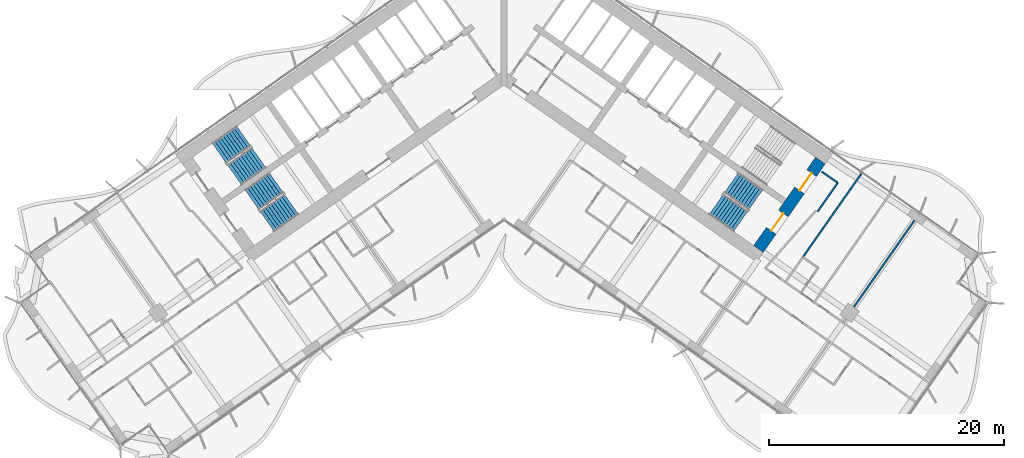
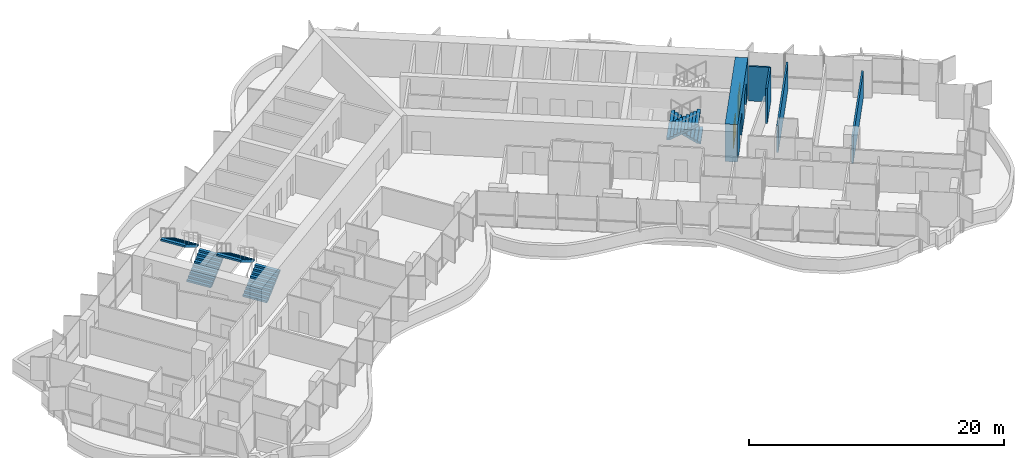
# One storey, part 16 of 23: 6 stair flights, 5 walls, 2 doors, 2 openings, 3 elements without a shape of their own.
"""IFC4 building model written with IfcOpenShell, lengths in metres."""

from ifc_helpers import new_model, si_unit, direction, frame, frame_2d, origin, place, context, subcontext, project, spatial, polyline, rectangle, outline, extrude, material, layer, layer_set, type_object, element, fill, aggregate, save


model = new_model("IFC4")

# Units and contexts
model_context = context("Model", 3, precision=1e-05, world=origin(), true_north=direction((0.0, 1.0)))
body_context = subcontext(model_context, "Body", "Model", "MODEL_VIEW")
ifc_project = project(units=[si_unit("LENGTHUNIT", "METRE"), si_unit("AREAUNIT", "SQUARE_METRE"), si_unit("VOLUMEUNIT", "CUBIC_METRE"), si_unit("PLANEANGLEUNIT", "RADIAN"), si_unit("MASSUNIT", "GRAM", prefix="KILO")], contexts=[model_context])

# Site, building, storey
site_placement = place(None, origin())
site = spatial("IfcSite", under=ifc_project, at=site_placement, CompositionType="ELEMENT")
building_placement = place(site_placement, origin())
building = spatial("IfcBuilding", under=site, at=building_placement, Name="Tel Ilan Convention Tower", CompositionType="ELEMENT")
storey_placement = place(building_placement, frame((0.0, 0.0, 101.300048828125)))
storey = spatial("IfcBuildingStorey", under=building, at=storey_placement, Name="L21", CompositionType="ELEMENT", Elevation=101.300048828125)

# Wall, openings, doors
ifc_material_1 = material(Name="Concrete C60/75", Category="concrete")
ifc_layer_1 = layer(ifc_material_1, 1.0)
ifc_layer_set_1 = layer_set([ifc_layer_1], Name="Core Shear Wall 1000 mm C60/75")
wall_type_1 = type_object("IfcWallType", Name="Core Shear Wall 1000 mm C60/75", PredefinedType="SHEAR", material=ifc_layer_set_1)
wall_1_placement = place(storey_placement, frame((21.70751953125, -15.19970703125, 0.0), z_axis=(0.0, 0.0, 1.0), x_axis=(0.573576324356, 0.819152122709, 0.0)))
wall_1 = element("IfcWall", 1, at=wall_1_placement, inside=storey, type_object=wall_type_1, Name="L21 core wall E-end", PredefinedType="SHEAR", context=body_context, shape_type="SweptSolid", body=[
    extrude(outline(polyline([(9.199951171875, 0.5), (0.0, 0.5), (0.0, -0.5), (9.199951171875, -0.5), (9.199951171875, 0.5)])), origin(), (0.0, 0.0, 1.0), 3.599853515625),
])
opening_1_placement = place(wall_1_placement, frame((6.10009765625, 0.0, 0.0)))
opening_1 = element("IfcOpeningElement", 2, at=opening_1_placement, cuts=wall_1, Name="Opening SD1903", PredefinedType="OPENING", context=body_context, shape_type="SweptSolid", body=[
    extrude(rectangle(XDim=1.800048828125, YDim=2.10009765625, at=frame_2d((0.89990234375, 1.050048828125))), frame((0.0, 0.510009765625, 0.0), z_axis=(0.0, -1.0, 0.0), x_axis=(1.0, 0.0, 0.0)), (0.0, 0.0, 1.0), 1.02001953125),
])
opening_2_placement = place(wall_1_placement, frame((1.89990234375, 0.0, 0.0)))
opening_2 = element("IfcOpeningElement", 3, at=opening_2_placement, cuts=wall_1, Name="Opening SD1904", PredefinedType="OPENING", context=body_context, shape_type="SweptSolid", body=[
    extrude(rectangle(XDim=1.800048828125, YDim=2.10009765625, at=frame_2d((0.89990234375, 1.050048828125))), frame((0.0, 0.510009765625, 0.0), z_axis=(0.0, -1.0, 0.0), x_axis=(1.0, 0.0, 0.0)), (0.0, 0.0, 1.0), 1.02001953125),
])
ifc_material_2 = material(Name="Galvanised Steel Door Leaf", Category="steel")
door_type = type_object("IfcDoorType", Name="Stair Fire Door 1800 x 2100 FD60S", OperationType="NOTDEFINED", PredefinedType="DOOR", material=ifc_material_2)
door_1_placement = place(opening_1_placement, origin())
door_1 = element("IfcDoor", 4, at=door_1_placement, inside=storey, type_object=door_type, Name="Stair S3 door", OperationType="DOUBLE_DOOR_SINGLE_SWING", OverallHeight=2.10009765625, OverallWidth=1.800048828125, PredefinedType="DOOR", context=body_context, shape_type="SweptSolid", body=[
    extrude(rectangle(XDim=1.800048828125, YDim=2.10009765625, at=frame_2d((0.89990234375, 1.050048828125))), frame((0.0, 0.02490234375, 0.0), z_axis=(0.0, -1.0, 0.0), x_axis=(1.0, 0.0, 0.0)), (0.0, 0.0, 1.0), 0.050048828125),
])
fill(opening_1, door_1)
door_2_placement = place(opening_2_placement, origin())
door_2 = element("IfcDoor", 5, at=door_2_placement, inside=storey, type_object=door_type, Name="Stair S4 door", OperationType="DOUBLE_DOOR_SINGLE_SWING", OverallHeight=2.10009765625, OverallWidth=1.800048828125, PredefinedType="DOOR", context=body_context, shape_type="SweptSolid", body=[
    extrude(rectangle(XDim=1.800048828125, YDim=2.10009765625, at=frame_2d((0.89990234375, 1.050048828125))), frame((0.0, 0.02490234375, 0.0), z_axis=(0.0, -1.0, 0.0), x_axis=(1.0, 0.0, 0.0)), (0.0, 0.0, 1.0), 0.050048828125),
])
fill(opening_2, door_2)

# Walls
ifc_material_3 = material(Name="Plasterboard on Steel Studs", Category="steel")
ifc_layer_2 = layer(ifc_material_3, 0.14990234375)
ifc_layer_set_2 = layer_set([ifc_layer_2], Name="Fire-rated Partition 150 EI 60")
wall_type_2 = type_object("IfcWallType", Name="Fire-rated Partition 150 EI 60", PredefinedType="PARTITIONING", material=ifc_layer_set_2)
wall_2_placement = place(storey_placement, frame((30.482421875, -8.77001953125, 0.0), z_axis=(0.0, 0.0, 1.0), x_axis=(-0.573579093502, -0.819150183725, 0.0)))
element("IfcWall", 6, at=wall_2_placement, inside=storey, type_object=wall_type_2, Name="Partition 034", PredefinedType="PARTITIONING", context=body_context, shape_type="SweptSolid", body=[
    extrude(rectangle(XDim=8.700927734375, YDim=0.14990234375, at=frame_2d((4.3505859375, 0.0))), origin(), (0.0, 0.0, 1.0), 2.599853515625),
])
wall_3_placement = place(storey_placement, frame((26.74609375, -12.013671875, 0.0), z_axis=(0.0, 0.0, 1.0), x_axis=(0.573560650686, 0.819163097304, 0.0)))
element("IfcWall", 7, at=wall_3_placement, inside=storey, type_object=wall_type_2, Name="Partition 037", PredefinedType="PARTITIONING", context=body_context, shape_type="SweptSolid", body=[
    extrude(rectangle(XDim=3.0, YDim=0.14990234375, at=frame_2d((1.5, 0.0))), origin(), (0.0, 0.0, 1.0), 3.320068359375),
])
wall_4_placement = place(storey_placement, frame((28.466796875, -9.55615234375, 0.0), z_axis=(0.0, 0.0, 1.0), x_axis=(-0.819109000826, 0.573637903879, 0.0)))
element("IfcWall", 8, at=wall_4_placement, inside=storey, type_object=wall_type_2, Name="Partition 038", PredefinedType="PARTITIONING", context=body_context, shape_type="SweptSolid", body=[
    extrude(rectangle(XDim=1.679931640625, YDim=0.14990234375, at=frame_2d((0.83984375, 0.0))), origin(), (0.0, 0.0, 1.0), 3.320068359375),
])
wall_5_placement = place(storey_placement, frame((35.012939453125, -12.76025390625, 0.0), z_axis=(0.0, 0.0, 1.0), x_axis=(-0.573558725113, -0.819164445546, 0.0)))
element("IfcWall", 9, at=wall_5_placement, inside=storey, type_object=wall_type_2, Name="Partition 042", PredefinedType="PARTITIONING", context=body_context, shape_type="SweptSolid", body=[
    extrude(rectangle(XDim=9.010009765625, YDim=0.14990234375, at=frame_2d((4.5048828125, 0.0))), origin(), (0.0, 0.0, 1.0), 2.599853515625),
])

# Stair, stair flights
ifc_material_4 = material(Name="Concrete C40/50", Category="concrete")
stair_type = type_object("IfcStairType", Name="Pressurised Exit Stair 20 risers 180 mm", PredefinedType="HALF_TURN_STAIR", material=ifc_material_4)
stair_1_placement = place(storey_placement, origin())
stair_1 = element("IfcStair", 10, at=stair_1_placement, inside=storey, type_object=stair_type, Name="L21 Pressurised Stair S1", PredefinedType="HALF_TURN_STAIR")
ifc_material_5 = material(Name="Precast Concrete C40/50", Category="concrete")
stair_flight_type = type_object("IfcStairFlightType", Name="Concrete Stair Flight 2100 mm 20 risers 180 mm", PredefinedType="STRAIGHT", material=ifc_material_5)
stair_flight_1_placement = place(storey_placement, frame((-22.9619140625, -8.87548828125, 0.0), z_axis=(0.0, 0.0, 1.0), x_axis=(0.819152044289, 0.573576436351, 0.0)))
stair_flight_1 = element("IfcStairFlight", 11, at=stair_flight_1_placement, type_object=stair_flight_type, Name="S1 flight 1", NumberOfRisers=10, NumberOfTreads=9, PredefinedType="STRAIGHT", RiserHeight=0.18, TreadLength=0.28, context=body_context, shape_type="SweptSolid", body=[
    extrude(outline(polyline([(0.0, 0.0), (0.0, 0.179931640625), (0.280029296875, 0.179931640625), (0.280029296875, 0.360107421875), (0.56005859375, 0.360107421875), (0.56005859375, 0.5400390625), (0.840087890625, 0.5400390625), (0.840087890625, 0.719970703125), (1.1201171875, 0.719970703125), (1.1201171875, 0.89990234375), (1.39990234375, 0.89990234375), (1.39990234375, 1.080078125), (1.679931640625, 1.080078125), (1.679931640625, 1.260009765625), (1.9599609375, 1.260009765625), (1.9599609375, 1.43994140625), (2.239990234375, 1.43994140625), (2.239990234375, 1.6201171875), (2.52001953125, 1.6201171875), (2.52001953125, 1.800048828125), (2.52001953125, 1.44189453125), (0.277099609375, 0.0), (0.0, 0.0)])), frame((0.0, -0.100341796875, 0.0), z_axis=(0.0, -1.0, 0.0), x_axis=(1.0, 0.0, 0.0)), (0.0, 0.0, 1.0), 0.94970703125),
    extrude(outline(polyline([(0.0, 0.0), (0.0, 0.179931640625), (0.280029296875, 0.179931640625), (0.280029296875, 0.360107421875), (0.56005859375, 0.360107421875), (0.56005859375, 0.5400390625), (0.840087890625, 0.5400390625), (0.840087890625, 0.719970703125), (1.1201171875, 0.719970703125), (1.1201171875, 0.89990234375), (1.39990234375, 0.89990234375), (1.39990234375, 1.080078125), (1.679931640625, 1.080078125), (1.679931640625, 1.260009765625), (1.9599609375, 1.260009765625), (1.9599609375, 1.43994140625), (2.239990234375, 1.43994140625), (2.239990234375, 1.6201171875), (2.52001953125, 1.6201171875), (2.52001953125, 1.800048828125), (2.52001953125, 1.44189453125), (0.277099609375, 0.0), (0.0, 0.0)])), frame((0.0, -0.000244140625, 0.0), z_axis=(0.0, -1.0, 0.0), x_axis=(1.0, 0.0, 0.0)), (0.0, 0.0, 1.0), 0.099609375),
    extrude(outline(polyline([(0.0, 0.0), (0.0, 0.179931640625), (0.280029296875, 0.179931640625), (0.280029296875, 0.360107421875), (0.56005859375, 0.360107421875), (0.56005859375, 0.5400390625), (0.840087890625, 0.5400390625), (0.840087890625, 0.719970703125), (1.1201171875, 0.719970703125), (1.1201171875, 0.89990234375), (1.39990234375, 0.89990234375), (1.39990234375, 1.080078125), (1.679931640625, 1.080078125), (1.679931640625, 1.260009765625), (1.9599609375, 1.260009765625), (1.9599609375, 1.43994140625), (2.239990234375, 1.43994140625), (2.239990234375, 1.6201171875), (2.52001953125, 1.6201171875), (2.52001953125, 1.800048828125), (2.52001953125, 1.44189453125), (0.277099609375, 0.0), (0.0, 0.0)])), frame((0.0, 0.099853515625, 0.0), z_axis=(0.0, -1.0, 0.0), x_axis=(1.0, 0.0, 0.0)), (0.0, 0.0, 1.0), 0.099609375),
    extrude(outline(polyline([(0.0, 0.0), (0.0, 0.179931640625), (0.280029296875, 0.179931640625), (0.280029296875, 0.360107421875), (0.56005859375, 0.360107421875), (0.56005859375, 0.5400390625), (0.840087890625, 0.5400390625), (0.840087890625, 0.719970703125), (1.1201171875, 0.719970703125), (1.1201171875, 0.89990234375), (1.39990234375, 0.89990234375), (1.39990234375, 1.080078125), (1.679931640625, 1.080078125), (1.679931640625, 1.260009765625), (1.9599609375, 1.260009765625), (1.9599609375, 1.43994140625), (2.239990234375, 1.43994140625), (2.239990234375, 1.6201171875), (2.52001953125, 1.6201171875), (2.52001953125, 1.800048828125), (2.52001953125, 1.44189453125), (0.277099609375, 0.0), (0.0, 0.0)])), frame((0.0, 1.050048828125, 0.0), z_axis=(0.0, -1.0, 0.0), x_axis=(1.0, 0.0, 0.0)), (0.0, 0.0, 1.0), 0.94970703125),
])
stair_flight_2_placement = place(storey_placement, frame((-22.188232421875, -5.5869140625, 1.800048828125), z_axis=(0.0, 0.0, 1.0), x_axis=(-0.819152044289, -0.573576436351, 0.0)))
stair_flight_2 = element("IfcStairFlight", 12, at=stair_flight_2_placement, type_object=stair_flight_type, Name="S1 flight 2", NumberOfRisers=10, NumberOfTreads=9, PredefinedType="STRAIGHT", RiserHeight=0.18, TreadLength=0.28, context=body_context, shape_type="SweptSolid", body=[
    extrude(outline(polyline([(0.0, 0.0), (0.0, 0.179931640625), (0.280029296875, 0.179931640625), (0.280029296875, 0.360107421875), (0.56005859375, 0.360107421875), (0.56005859375, 0.5400390625), (0.840087890625, 0.5400390625), (0.840087890625, 0.719970703125), (1.1201171875, 0.719970703125), (1.1201171875, 0.89990234375), (1.39990234375, 0.89990234375), (1.39990234375, 1.080078125), (1.679931640625, 1.080078125), (1.679931640625, 1.260009765625), (1.9599609375, 1.260009765625), (1.9599609375, 1.43994140625), (2.239990234375, 1.43994140625), (2.239990234375, 1.6201171875), (2.52001953125, 1.6201171875), (2.52001953125, 1.800048828125), (2.52001953125, 1.44189453125), (0.277099609375, 0.0), (0.0, 0.0)])), frame((0.0, -0.100341796875, 0.0), z_axis=(0.0, -1.0, 0.0), x_axis=(1.0, 0.0, 0.0)), (0.0, 0.0, 1.0), 0.94970703125),
    extrude(outline(polyline([(0.0, 0.0), (0.0, 0.179931640625), (0.280029296875, 0.179931640625), (0.280029296875, 0.360107421875), (0.56005859375, 0.360107421875), (0.56005859375, 0.5400390625), (0.840087890625, 0.5400390625), (0.840087890625, 0.719970703125), (1.1201171875, 0.719970703125), (1.1201171875, 0.89990234375), (1.39990234375, 0.89990234375), (1.39990234375, 1.080078125), (1.679931640625, 1.080078125), (1.679931640625, 1.260009765625), (1.9599609375, 1.260009765625), (1.9599609375, 1.43994140625), (2.239990234375, 1.43994140625), (2.239990234375, 1.6201171875), (2.52001953125, 1.6201171875), (2.52001953125, 1.800048828125), (2.52001953125, 1.44189453125), (0.277099609375, 0.0), (0.0, 0.0)])), frame((0.0, -0.000244140625, 0.0), z_axis=(0.0, -1.0, 0.0), x_axis=(1.0, 0.0, 0.0)), (0.0, 0.0, 1.0), 0.099609375),
    extrude(outline(polyline([(0.0, 0.0), (0.0, 0.179931640625), (0.280029296875, 0.179931640625), (0.280029296875, 0.360107421875), (0.56005859375, 0.360107421875), (0.56005859375, 0.5400390625), (0.840087890625, 0.5400390625), (0.840087890625, 0.719970703125), (1.1201171875, 0.719970703125), (1.1201171875, 0.89990234375), (1.39990234375, 0.89990234375), (1.39990234375, 1.080078125), (1.679931640625, 1.080078125), (1.679931640625, 1.260009765625), (1.9599609375, 1.260009765625), (1.9599609375, 1.43994140625), (2.239990234375, 1.43994140625), (2.239990234375, 1.6201171875), (2.52001953125, 1.6201171875), (2.52001953125, 1.800048828125), (2.52001953125, 1.44189453125), (0.277099609375, 0.0), (0.0, 0.0)])), frame((0.0, 0.099853515625, 0.0), z_axis=(0.0, -1.0, 0.0), x_axis=(1.0, 0.0, 0.0)), (0.0, 0.0, 1.0), 0.099609375),
    extrude(outline(polyline([(0.0, 0.0), (0.0, 0.179931640625), (0.280029296875, 0.179931640625), (0.280029296875, 0.360107421875), (0.56005859375, 0.360107421875), (0.56005859375, 0.5400390625), (0.840087890625, 0.5400390625), (0.840087890625, 0.719970703125), (1.1201171875, 0.719970703125), (1.1201171875, 0.89990234375), (1.39990234375, 0.89990234375), (1.39990234375, 1.080078125), (1.679931640625, 1.080078125), (1.679931640625, 1.260009765625), (1.9599609375, 1.260009765625), (1.9599609375, 1.43994140625), (2.239990234375, 1.43994140625), (2.239990234375, 1.6201171875), (2.52001953125, 1.6201171875), (2.52001953125, 1.800048828125), (2.52001953125, 1.44189453125), (0.277099609375, 0.0), (0.0, 0.0)])), frame((0.0, 1.050048828125, 0.0), z_axis=(0.0, -1.0, 0.0), x_axis=(1.0, 0.0, 0.0)), (0.0, 0.0, 1.0), 0.94970703125),
])
aggregate(stair_1, [stair_flight_1, stair_flight_2])

stair_2_placement = place(storey_placement, origin())
stair_2 = element("IfcStair", 13, at=stair_2_placement, inside=storey, type_object=stair_type, Name="L21 Pressurised Stair S2", PredefinedType="HALF_TURN_STAIR")
stair_flight_3_placement = place(storey_placement, frame((-20.179931640625, -12.848388671875, 0.0), z_axis=(0.0, 0.0, 1.0), x_axis=(0.819152044289, 0.573576436351, 0.0)))
stair_flight_3 = element("IfcStairFlight", 14, at=stair_flight_3_placement, type_object=stair_flight_type, Name="S2 flight 1", NumberOfRisers=10, NumberOfTreads=9, PredefinedType="STRAIGHT", RiserHeight=0.18, TreadLength=0.28, context=body_context, shape_type="SweptSolid", body=[
    extrude(outline(polyline([(0.0, 0.0), (0.0, 0.179931640625), (0.280029296875, 0.179931640625), (0.280029296875, 0.360107421875), (0.56005859375, 0.360107421875), (0.56005859375, 0.5400390625), (0.840087890625, 0.5400390625), (0.840087890625, 0.719970703125), (1.1201171875, 0.719970703125), (1.1201171875, 0.89990234375), (1.39990234375, 0.89990234375), (1.39990234375, 1.080078125), (1.679931640625, 1.080078125), (1.679931640625, 1.260009765625), (1.9599609375, 1.260009765625), (1.9599609375, 1.43994140625), (2.239990234375, 1.43994140625), (2.239990234375, 1.6201171875), (2.52001953125, 1.6201171875), (2.52001953125, 1.800048828125), (2.52001953125, 1.44189453125), (0.277099609375, 0.0), (0.0, 0.0)])), frame((0.0, -0.100341796875, 0.0), z_axis=(0.0, -1.0, 0.0), x_axis=(1.0, 0.0, 0.0)), (0.0, 0.0, 1.0), 0.94970703125),
    extrude(outline(polyline([(0.0, 0.0), (0.0, 0.179931640625), (0.280029296875, 0.179931640625), (0.280029296875, 0.360107421875), (0.56005859375, 0.360107421875), (0.56005859375, 0.5400390625), (0.840087890625, 0.5400390625), (0.840087890625, 0.719970703125), (1.1201171875, 0.719970703125), (1.1201171875, 0.89990234375), (1.39990234375, 0.89990234375), (1.39990234375, 1.080078125), (1.679931640625, 1.080078125), (1.679931640625, 1.260009765625), (1.9599609375, 1.260009765625), (1.9599609375, 1.43994140625), (2.239990234375, 1.43994140625), (2.239990234375, 1.6201171875), (2.52001953125, 1.6201171875), (2.52001953125, 1.800048828125), (2.52001953125, 1.44189453125), (0.277099609375, 0.0), (0.0, 0.0)])), frame((0.0, -0.000244140625, 0.0), z_axis=(0.0, -1.0, 0.0), x_axis=(1.0, 0.0, 0.0)), (0.0, 0.0, 1.0), 0.099609375),
    extrude(outline(polyline([(0.0, 0.0), (0.0, 0.179931640625), (0.280029296875, 0.179931640625), (0.280029296875, 0.360107421875), (0.56005859375, 0.360107421875), (0.56005859375, 0.5400390625), (0.840087890625, 0.5400390625), (0.840087890625, 0.719970703125), (1.1201171875, 0.719970703125), (1.1201171875, 0.89990234375), (1.39990234375, 0.89990234375), (1.39990234375, 1.080078125), (1.679931640625, 1.080078125), (1.679931640625, 1.260009765625), (1.9599609375, 1.260009765625), (1.9599609375, 1.43994140625), (2.239990234375, 1.43994140625), (2.239990234375, 1.6201171875), (2.52001953125, 1.6201171875), (2.52001953125, 1.800048828125), (2.52001953125, 1.44189453125), (0.277099609375, 0.0), (0.0, 0.0)])), frame((0.0, 0.099853515625, 0.0), z_axis=(0.0, -1.0, 0.0), x_axis=(1.0, 0.0, 0.0)), (0.0, 0.0, 1.0), 0.099609375),
    extrude(outline(polyline([(0.0, 0.0), (0.0, 0.179931640625), (0.280029296875, 0.179931640625), (0.280029296875, 0.360107421875), (0.56005859375, 0.360107421875), (0.56005859375, 0.5400390625), (0.840087890625, 0.5400390625), (0.840087890625, 0.719970703125), (1.1201171875, 0.719970703125), (1.1201171875, 0.89990234375), (1.39990234375, 0.89990234375), (1.39990234375, 1.080078125), (1.679931640625, 1.080078125), (1.679931640625, 1.260009765625), (1.9599609375, 1.260009765625), (1.9599609375, 1.43994140625), (2.239990234375, 1.43994140625), (2.239990234375, 1.6201171875), (2.52001953125, 1.6201171875), (2.52001953125, 1.800048828125), (2.52001953125, 1.44189453125), (0.277099609375, 0.0), (0.0, 0.0)])), frame((0.0, 1.050048828125, 0.0), z_axis=(0.0, -1.0, 0.0), x_axis=(1.0, 0.0, 0.0)), (0.0, 0.0, 1.0), 0.94970703125),
])
stair_flight_4_placement = place(storey_placement, frame((-19.40625, -9.559814453125, 1.800048828125), z_axis=(0.0, 0.0, 1.0), x_axis=(-0.819152044289, -0.573576436351, 0.0)))
stair_flight_4 = element("IfcStairFlight", 15, at=stair_flight_4_placement, type_object=stair_flight_type, Name="S2 flight 2", NumberOfRisers=10, NumberOfTreads=9, PredefinedType="STRAIGHT", RiserHeight=0.18, TreadLength=0.28, context=body_context, shape_type="SweptSolid", body=[
    extrude(outline(polyline([(0.0, 0.0), (0.0, 0.179931640625), (0.280029296875, 0.179931640625), (0.280029296875, 0.360107421875), (0.56005859375, 0.360107421875), (0.56005859375, 0.5400390625), (0.840087890625, 0.5400390625), (0.840087890625, 0.719970703125), (1.1201171875, 0.719970703125), (1.1201171875, 0.89990234375), (1.39990234375, 0.89990234375), (1.39990234375, 1.080078125), (1.679931640625, 1.080078125), (1.679931640625, 1.260009765625), (1.9599609375, 1.260009765625), (1.9599609375, 1.43994140625), (2.239990234375, 1.43994140625), (2.239990234375, 1.6201171875), (2.52001953125, 1.6201171875), (2.52001953125, 1.800048828125), (2.52001953125, 1.44189453125), (0.277099609375, 0.0), (0.0, 0.0)])), frame((0.0, -0.100341796875, 0.0), z_axis=(0.0, -1.0, 0.0), x_axis=(1.0, 0.0, 0.0)), (0.0, 0.0, 1.0), 0.94970703125),
    extrude(outline(polyline([(0.0, 0.0), (0.0, 0.179931640625), (0.280029296875, 0.179931640625), (0.280029296875, 0.360107421875), (0.56005859375, 0.360107421875), (0.56005859375, 0.5400390625), (0.840087890625, 0.5400390625), (0.840087890625, 0.719970703125), (1.1201171875, 0.719970703125), (1.1201171875, 0.89990234375), (1.39990234375, 0.89990234375), (1.39990234375, 1.080078125), (1.679931640625, 1.080078125), (1.679931640625, 1.260009765625), (1.9599609375, 1.260009765625), (1.9599609375, 1.43994140625), (2.239990234375, 1.43994140625), (2.239990234375, 1.6201171875), (2.52001953125, 1.6201171875), (2.52001953125, 1.800048828125), (2.52001953125, 1.44189453125), (0.277099609375, 0.0), (0.0, 0.0)])), frame((0.0, -0.000244140625, 0.0), z_axis=(0.0, -1.0, 0.0), x_axis=(1.0, 0.0, 0.0)), (0.0, 0.0, 1.0), 0.099609375),
    extrude(outline(polyline([(0.0, 0.0), (0.0, 0.179931640625), (0.280029296875, 0.179931640625), (0.280029296875, 0.360107421875), (0.56005859375, 0.360107421875), (0.56005859375, 0.5400390625), (0.840087890625, 0.5400390625), (0.840087890625, 0.719970703125), (1.1201171875, 0.719970703125), (1.1201171875, 0.89990234375), (1.39990234375, 0.89990234375), (1.39990234375, 1.080078125), (1.679931640625, 1.080078125), (1.679931640625, 1.260009765625), (1.9599609375, 1.260009765625), (1.9599609375, 1.43994140625), (2.239990234375, 1.43994140625), (2.239990234375, 1.6201171875), (2.52001953125, 1.6201171875), (2.52001953125, 1.800048828125), (2.52001953125, 1.44189453125), (0.277099609375, 0.0), (0.0, 0.0)])), frame((0.0, 0.099853515625, 0.0), z_axis=(0.0, -1.0, 0.0), x_axis=(1.0, 0.0, 0.0)), (0.0, 0.0, 1.0), 0.099609375),
    extrude(outline(polyline([(0.0, 0.0), (0.0, 0.179931640625), (0.280029296875, 0.179931640625), (0.280029296875, 0.360107421875), (0.56005859375, 0.360107421875), (0.56005859375, 0.5400390625), (0.840087890625, 0.5400390625), (0.840087890625, 0.719970703125), (1.1201171875, 0.719970703125), (1.1201171875, 0.89990234375), (1.39990234375, 0.89990234375), (1.39990234375, 1.080078125), (1.679931640625, 1.080078125), (1.679931640625, 1.260009765625), (1.9599609375, 1.260009765625), (1.9599609375, 1.43994140625), (2.239990234375, 1.43994140625), (2.239990234375, 1.6201171875), (2.52001953125, 1.6201171875), (2.52001953125, 1.800048828125), (2.52001953125, 1.44189453125), (0.277099609375, 0.0), (0.0, 0.0)])), frame((0.0, 1.050048828125, 0.0), z_axis=(0.0, -1.0, 0.0), x_axis=(1.0, 0.0, 0.0)), (0.0, 0.0, 1.0), 0.94970703125),
])
aggregate(stair_2, [stair_flight_3, stair_flight_4])

stair_3_placement = place(storey_placement, origin())
stair_3 = element("IfcStair", 16, at=stair_3_placement, inside=storey, type_object=stair_type, Name="L21 Pressurised Stair S4", PredefinedType="HALF_TURN_STAIR")
stair_flight_5_placement = place(storey_placement, frame((21.470458984375, -11.00537109375, 0.0), z_axis=(0.0, 0.0, 1.0), x_axis=(-0.819152044289, 0.573576436351, 0.0)))
stair_flight_5 = element("IfcStairFlight", 17, at=stair_flight_5_placement, type_object=stair_flight_type, Name="S4 flight 1", NumberOfRisers=10, NumberOfTreads=9, PredefinedType="STRAIGHT", RiserHeight=0.18, TreadLength=0.28, context=body_context, shape_type="SweptSolid", body=[
    extrude(outline(polyline([(0.0, 0.0), (0.0, 0.179931640625), (0.280029296875, 0.179931640625), (0.280029296875, 0.360107421875), (0.56005859375, 0.360107421875), (0.56005859375, 0.5400390625), (0.840087890625, 0.5400390625), (0.840087890625, 0.719970703125), (1.1201171875, 0.719970703125), (1.1201171875, 0.89990234375), (1.39990234375, 0.89990234375), (1.39990234375, 1.080078125), (1.679931640625, 1.080078125), (1.679931640625, 1.260009765625), (1.9599609375, 1.260009765625), (1.9599609375, 1.43994140625), (2.239990234375, 1.43994140625), (2.239990234375, 1.6201171875), (2.52001953125, 1.6201171875), (2.52001953125, 1.800048828125), (2.52001953125, 1.44189453125), (0.277099609375, 0.0), (0.0, 0.0)])), frame((0.0, -0.100341796875, 0.0), z_axis=(0.0, -1.0, 0.0), x_axis=(1.0, 0.0, 0.0)), (0.0, 0.0, 1.0), 0.94970703125),
    extrude(outline(polyline([(0.0, 0.0), (0.0, 0.179931640625), (0.280029296875, 0.179931640625), (0.280029296875, 0.360107421875), (0.56005859375, 0.360107421875), (0.56005859375, 0.5400390625), (0.840087890625, 0.5400390625), (0.840087890625, 0.719970703125), (1.1201171875, 0.719970703125), (1.1201171875, 0.89990234375), (1.39990234375, 0.89990234375), (1.39990234375, 1.080078125), (1.679931640625, 1.080078125), (1.679931640625, 1.260009765625), (1.9599609375, 1.260009765625), (1.9599609375, 1.43994140625), (2.239990234375, 1.43994140625), (2.239990234375, 1.6201171875), (2.52001953125, 1.6201171875), (2.52001953125, 1.800048828125), (2.52001953125, 1.44189453125), (0.277099609375, 0.0), (0.0, 0.0)])), frame((0.0, -0.000244140625, 0.0), z_axis=(0.0, -1.0, 0.0), x_axis=(1.0, 0.0, 0.0)), (0.0, 0.0, 1.0), 0.099609375),
    extrude(outline(polyline([(0.0, 0.0), (0.0, 0.179931640625), (0.280029296875, 0.179931640625), (0.280029296875, 0.360107421875), (0.56005859375, 0.360107421875), (0.56005859375, 0.5400390625), (0.840087890625, 0.5400390625), (0.840087890625, 0.719970703125), (1.1201171875, 0.719970703125), (1.1201171875, 0.89990234375), (1.39990234375, 0.89990234375), (1.39990234375, 1.080078125), (1.679931640625, 1.080078125), (1.679931640625, 1.260009765625), (1.9599609375, 1.260009765625), (1.9599609375, 1.43994140625), (2.239990234375, 1.43994140625), (2.239990234375, 1.6201171875), (2.52001953125, 1.6201171875), (2.52001953125, 1.800048828125), (2.52001953125, 1.44189453125), (0.277099609375, 0.0), (0.0, 0.0)])), frame((0.0, 0.099853515625, 0.0), z_axis=(0.0, -1.0, 0.0), x_axis=(1.0, 0.0, 0.0)), (0.0, 0.0, 1.0), 0.099609375),
    extrude(outline(polyline([(0.0, 0.0), (0.0, 0.179931640625), (0.280029296875, 0.179931640625), (0.280029296875, 0.360107421875), (0.56005859375, 0.360107421875), (0.56005859375, 0.5400390625), (0.840087890625, 0.5400390625), (0.840087890625, 0.719970703125), (1.1201171875, 0.719970703125), (1.1201171875, 0.89990234375), (1.39990234375, 0.89990234375), (1.39990234375, 1.080078125), (1.679931640625, 1.080078125), (1.679931640625, 1.260009765625), (1.9599609375, 1.260009765625), (1.9599609375, 1.43994140625), (2.239990234375, 1.43994140625), (2.239990234375, 1.6201171875), (2.52001953125, 1.6201171875), (2.52001953125, 1.800048828125), (2.52001953125, 1.44189453125), (0.277099609375, 0.0), (0.0, 0.0)])), frame((0.0, 1.050048828125, 0.0), z_axis=(0.0, -1.0, 0.0), x_axis=(1.0, 0.0, 0.0)), (0.0, 0.0, 1.0), 0.94970703125),
])
stair_flight_6_placement = place(storey_placement, frame((18.11572265625, -11.403076171875, 1.800048828125), z_axis=(0.0, 0.0, 1.0), x_axis=(0.819152044289, -0.573576436351, 0.0)))
stair_flight_6 = element("IfcStairFlight", 18, at=stair_flight_6_placement, type_object=stair_flight_type, Name="S4 flight 2", NumberOfRisers=10, NumberOfTreads=9, PredefinedType="STRAIGHT", RiserHeight=0.18, TreadLength=0.28, context=body_context, shape_type="SweptSolid", body=[
    extrude(outline(polyline([(0.0, 0.0), (0.0, 0.179931640625), (0.280029296875, 0.179931640625), (0.280029296875, 0.360107421875), (0.56005859375, 0.360107421875), (0.56005859375, 0.5400390625), (0.840087890625, 0.5400390625), (0.840087890625, 0.719970703125), (1.1201171875, 0.719970703125), (1.1201171875, 0.89990234375), (1.39990234375, 0.89990234375), (1.39990234375, 1.080078125), (1.679931640625, 1.080078125), (1.679931640625, 1.260009765625), (1.9599609375, 1.260009765625), (1.9599609375, 1.43994140625), (2.239990234375, 1.43994140625), (2.239990234375, 1.6201171875), (2.52001953125, 1.6201171875), (2.52001953125, 1.800048828125), (2.52001953125, 1.44189453125), (0.277099609375, 0.0), (0.0, 0.0)])), frame((0.0, -0.100341796875, 0.0), z_axis=(0.0, -1.0, 0.0), x_axis=(1.0, 0.0, 0.0)), (0.0, 0.0, 1.0), 0.94970703125),
    extrude(outline(polyline([(0.0, 0.0), (0.0, 0.179931640625), (0.280029296875, 0.179931640625), (0.280029296875, 0.360107421875), (0.56005859375, 0.360107421875), (0.56005859375, 0.5400390625), (0.840087890625, 0.5400390625), (0.840087890625, 0.719970703125), (1.1201171875, 0.719970703125), (1.1201171875, 0.89990234375), (1.39990234375, 0.89990234375), (1.39990234375, 1.080078125), (1.679931640625, 1.080078125), (1.679931640625, 1.260009765625), (1.9599609375, 1.260009765625), (1.9599609375, 1.43994140625), (2.239990234375, 1.43994140625), (2.239990234375, 1.6201171875), (2.52001953125, 1.6201171875), (2.52001953125, 1.800048828125), (2.52001953125, 1.44189453125), (0.277099609375, 0.0), (0.0, 0.0)])), frame((0.0, -0.000244140625, 0.0), z_axis=(0.0, -1.0, 0.0), x_axis=(1.0, 0.0, 0.0)), (0.0, 0.0, 1.0), 0.099609375),
    extrude(outline(polyline([(0.0, 0.0), (0.0, 0.179931640625), (0.280029296875, 0.179931640625), (0.280029296875, 0.360107421875), (0.56005859375, 0.360107421875), (0.56005859375, 0.5400390625), (0.840087890625, 0.5400390625), (0.840087890625, 0.719970703125), (1.1201171875, 0.719970703125), (1.1201171875, 0.89990234375), (1.39990234375, 0.89990234375), (1.39990234375, 1.080078125), (1.679931640625, 1.080078125), (1.679931640625, 1.260009765625), (1.9599609375, 1.260009765625), (1.9599609375, 1.43994140625), (2.239990234375, 1.43994140625), (2.239990234375, 1.6201171875), (2.52001953125, 1.6201171875), (2.52001953125, 1.800048828125), (2.52001953125, 1.44189453125), (0.277099609375, 0.0), (0.0, 0.0)])), frame((0.0, 0.099853515625, 0.0), z_axis=(0.0, -1.0, 0.0), x_axis=(1.0, 0.0, 0.0)), (0.0, 0.0, 1.0), 0.099609375),
    extrude(outline(polyline([(0.0, 0.0), (0.0, 0.179931640625), (0.280029296875, 0.179931640625), (0.280029296875, 0.360107421875), (0.56005859375, 0.360107421875), (0.56005859375, 0.5400390625), (0.840087890625, 0.5400390625), (0.840087890625, 0.719970703125), (1.1201171875, 0.719970703125), (1.1201171875, 0.89990234375), (1.39990234375, 0.89990234375), (1.39990234375, 1.080078125), (1.679931640625, 1.080078125), (1.679931640625, 1.260009765625), (1.9599609375, 1.260009765625), (1.9599609375, 1.43994140625), (2.239990234375, 1.43994140625), (2.239990234375, 1.6201171875), (2.52001953125, 1.6201171875), (2.52001953125, 1.800048828125), (2.52001953125, 1.44189453125), (0.277099609375, 0.0), (0.0, 0.0)])), frame((0.0, 1.050048828125, 0.0), z_axis=(0.0, -1.0, 0.0), x_axis=(1.0, 0.0, 0.0)), (0.0, 0.0, 1.0), 0.94970703125),
])
aggregate(stair_3, [stair_flight_5, stair_flight_6])

save(model, "model.ifc")
